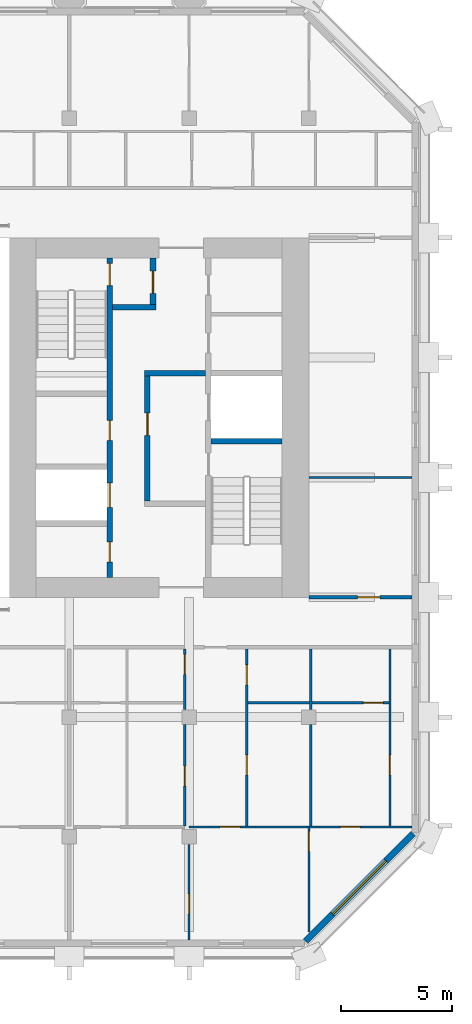
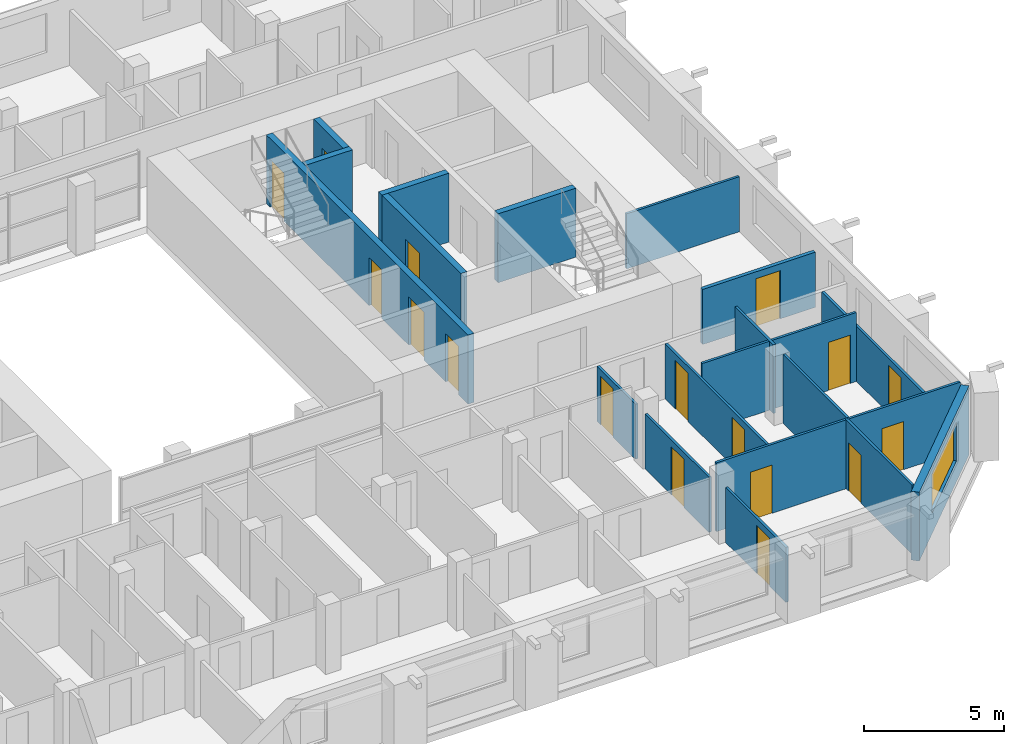
# One storey, part 8 of 14: 21 walls, 17 doors, 1 window, 18 openings.
"""IFC4 building model written with IfcOpenShell, lengths in metres."""

from ifc_helpers import new_model, si_unit, direction, frame, frame_2d, origin, place, context, subcontext, project, spatial, rectangle, extrude, material, layer, layer_set, type_object, element, fill, save


model = new_model("IFC4")

# Units and contexts
model_context = context("Model", 3, precision=1e-05, world=origin(), true_north=direction((0.0, 1.0)))
body_context = subcontext(model_context, "Body", "Model", "MODEL_VIEW")
ifc_project = project(units=[si_unit("LENGTHUNIT", "METRE"), si_unit("AREAUNIT", "SQUARE_METRE"), si_unit("VOLUMEUNIT", "CUBIC_METRE"), si_unit("PLANEANGLEUNIT", "RADIAN"), si_unit("MASSUNIT", "GRAM", prefix="KILO")], contexts=[model_context])

# Site, building, storey
site_placement = place(None, origin())
site = spatial("IfcSite", under=ifc_project, at=site_placement, CompositionType="ELEMENT")
building_placement = place(site_placement, origin())
building = spatial("IfcBuilding", under=site, at=building_placement, Name="Tabaq Tower and Sports Hall", CompositionType="ELEMENT")
storey_placement = place(building_placement, frame((0.0, 0.0, 285.10009765625)))
storey = spatial("IfcBuildingStorey", under=building, at=storey_placement, Name="L70", CompositionType="ELEMENT", Elevation=285.10009765625)

# Wall
ifc_material_1 = material(Name="Gypsum board on steel studs", Category="steel")
ifc_layer_1 = layer(ifc_material_1, 0.10009765625)
ifc_layer_set_1 = layer_set([ifc_layer_1], Name="Partition 100 Gypsum board")
wall_type_1 = type_object("IfcWallType", Name="Partition 100 Gypsum board", PredefinedType="PARTITIONING", material=ifc_layer_set_1)
wall_1_placement = place(storey_placement, frame((43.199951171875, 21.60009765625, 0.0), z_axis=(0.0, 0.0, 1.0), x_axis=(1.0, 0.0, 0.0)))
element("IfcWall", 1, at=wall_1_placement, inside=storey, type_object=wall_type_1, Name="Partition wall L70", PredefinedType="PARTITIONING", context=body_context, shape_type="SweptSolid", body=[
    extrude(rectangle(XDim=4.649169921875, YDim=0.10009765625, at=frame_2d((2.32470703125, 0.0))), origin(), (0.0, 0.0, 1.0), 2.39990234375),
])

# Wall, opening, door
wall_2_placement = place(storey_placement, frame((37.800048828125, 0.7509765625, 0.0), z_axis=(0.0, 0.0, 1.0), x_axis=(0.0, 1.0, 0.0)))
wall_2 = element("IfcWall", 2, at=wall_2_placement, inside=storey, type_object=wall_type_1, Name="Partition wall L70", PredefinedType="PARTITIONING", context=body_context, shape_type="SweptSolid", body=[
    extrude(rectangle(XDim=4.303955078125, YDim=0.10009765625, at=frame_2d((2.15185546875, 0.0))), origin(), (0.0, 0.0, 1.0), 2.39990234375),
])
opening_1_placement = place(wall_2_placement, frame((1.179931640625, 0.0, 0.0)))
opening_1 = element("IfcOpeningElement", 3, at=opening_1_placement, cuts=wall_2, Name="Opening L70-044", PredefinedType="OPENING", context=body_context, shape_type="SweptSolid", body=[
    extrude(rectangle(XDim=0.89990234375, YDim=2.10009765625, at=frame_2d((0.449951171875, 1.050048828125))), frame((0.0, 0.050048828125, 0.0), z_axis=(0.0, -1.0, 0.0), x_axis=(1.0, 0.0, 0.0)), (0.0, 0.0, 1.0), 0.10009765625),
])
ifc_material_2 = material(Name="Timber leaf in steel frame", Category="steel")
door_type_1 = type_object("IfcDoorType", Name="Internal door 900 right hand", OperationType="SINGLE_SWING_RIGHT", PredefinedType="DOOR", material=ifc_material_2)
door_1_placement = place(opening_1_placement, origin())
door_1 = element("IfcDoor", 4, at=door_1_placement, inside=storey, type_object=door_type_1, Name="Internal door L70-044", OperationType="SINGLE_SWING_RIGHT", OverallHeight=2.10009765625, OverallWidth=0.89990234375, PredefinedType="DOOR", context=body_context, shape_type="SweptSolid", body=[
    extrude(rectangle(XDim=0.89990234375, YDim=2.10009765625, at=frame_2d((0.449951171875, 1.050048828125))), frame((0.0, 0.02490234375, 0.0), z_axis=(0.0, -1.0, 0.0), x_axis=(1.0, 0.0, 0.0)), (0.0, 0.0, 1.0), 0.050048828125),
])
fill(opening_1, door_1)

wall_3_placement = place(storey_placement, frame((43.199951171875, 1.112060546875, 0.0), z_axis=(0.0, 0.0, 1.0), x_axis=(0.0, 1.0, 0.0)))
wall_3 = element("IfcWall", 5, at=wall_3_placement, inside=storey, type_object=wall_type_1, Name="Partition wall L70", PredefinedType="PARTITIONING", context=body_context, shape_type="SweptSolid", body=[
    extrude(rectangle(XDim=4.787841796875, YDim=0.10009765625, at=frame_2d((2.39404296875, 0.0))), origin(), (0.0, 0.0, 1.0), 3.0),
])
opening_2_placement = place(wall_3_placement, frame((3.637939453125, 0.0, 0.0)))
opening_2 = element("IfcOpeningElement", 6, at=opening_2_placement, cuts=wall_3, Name="Opening L70-052", PredefinedType="OPENING", context=body_context, shape_type="SweptSolid", body=[
    extrude(rectangle(XDim=0.89990234375, YDim=2.10009765625, at=frame_2d((0.449951171875, 1.050048828125))), frame((0.0, 0.050048828125, 0.0), z_axis=(0.0, -1.0, 0.0), x_axis=(1.0, 0.0, 0.0)), (0.0, 0.0, 1.0), 0.10009765625),
])
ifc_material_3 = material(Name="Timber leaf in steel frame", Category="steel")
door_type_2 = type_object("IfcDoorType", Name="Internal door 900 left hand", OperationType="SINGLE_SWING_LEFT", PredefinedType="DOOR", material=ifc_material_3)
door_2_placement = place(opening_2_placement, origin())
door_2 = element("IfcDoor", 7, at=door_2_placement, inside=storey, type_object=door_type_2, Name="Internal door L70-052", OperationType="SINGLE_SWING_LEFT", OverallHeight=2.10009765625, OverallWidth=0.89990234375, PredefinedType="DOOR", context=body_context, shape_type="SweptSolid", body=[
    extrude(rectangle(XDim=0.89990234375, YDim=2.10009765625, at=frame_2d((0.449951171875, 1.050048828125))), frame((0.0, 0.02490234375, 0.0), z_axis=(0.0, -1.0, 0.0), x_axis=(1.0, 0.0, 0.0)), (0.0, 0.0, 1.0), 0.050048828125),
])
fill(opening_2, door_2)

wall_4_placement = place(storey_placement, frame((43.14990234375, 5.85009765625, 0.0), z_axis=(0.0, 0.0, 1.0), x_axis=(-1.0, 0.0, 0.0)))
wall_4 = element("IfcWall", 8, at=wall_4_placement, inside=storey, type_object=wall_type_1, Name="Partition wall L70", PredefinedType="PARTITIONING", context=body_context, shape_type="SweptSolid", body=[
    extrude(rectangle(XDim=5.349853515625, YDim=0.10009765625, at=frame_2d((2.6748046875, 0.0))), origin(), (0.0, 0.0, 1.0), 3.0),
])
opening_3_placement = place(wall_4_placement, frame((3.048095703125, 0.0, 0.0)))
opening_3 = element("IfcOpeningElement", 9, at=opening_3_placement, cuts=wall_4, Name="Opening L70-053", PredefinedType="OPENING", context=body_context, shape_type="SweptSolid", body=[
    extrude(rectangle(XDim=0.89990234375, YDim=2.10009765625, at=frame_2d((0.449951171875, 1.050048828125))), frame((0.0, 0.050048828125, 0.0), z_axis=(0.0, -1.0, 0.0), x_axis=(1.0, 0.0, 0.0)), (0.0, 0.0, 1.0), 0.10009765625),
])
door_3_placement = place(opening_3_placement, origin())
door_3 = element("IfcDoor", 10, at=door_3_placement, inside=storey, type_object=door_type_1, Name="Internal door L70-053", OperationType="SINGLE_SWING_RIGHT", OverallHeight=2.10009765625, OverallWidth=0.89990234375, PredefinedType="DOOR", context=body_context, shape_type="SweptSolid", body=[
    extrude(rectangle(XDim=0.89990234375, YDim=2.10009765625, at=frame_2d((0.449951171875, 1.050048828125))), frame((0.0, 0.02490234375, 0.0), z_axis=(0.0, -1.0, 0.0), x_axis=(1.0, 0.0, 0.0)), (0.0, 0.0, 1.0), 0.050048828125),
])
fill(opening_3, door_3)

wall_5_placement = place(storey_placement, frame((47.84912109375, 5.85009765625, 0.0), z_axis=(0.0, 0.0, 1.0), x_axis=(-1.0, 0.0, 0.0)))
wall_5 = element("IfcWall", 11, at=wall_5_placement, inside=storey, type_object=wall_type_1, Name="Partition wall L70", PredefinedType="PARTITIONING", context=body_context, shape_type="SweptSolid", body=[
    extrude(rectangle(XDim=4.6181640625, YDim=0.10009765625, at=frame_2d((2.30908203125, 0.0))), origin(), (0.0, 0.0, 1.0), 3.0),
])
opening_4_placement = place(wall_5_placement, frame((2.3330078125, 0.0, 0.0)))
opening_4 = element("IfcOpeningElement", 12, at=opening_4_placement, cuts=wall_5, Name="Opening L70-046", PredefinedType="OPENING", context=body_context, shape_type="SweptSolid", body=[
    extrude(rectangle(XDim=0.89990234375, YDim=2.10009765625, at=frame_2d((0.449951171875, 1.050048828125))), frame((0.0, 0.050048828125, 0.0), z_axis=(0.0, -1.0, 0.0), x_axis=(1.0, 0.0, 0.0)), (0.0, 0.0, 1.0), 0.10009765625),
])
door_4_placement = place(opening_4_placement, origin())
door_4 = element("IfcDoor", 13, at=door_4_placement, inside=storey, type_object=door_type_2, Name="Internal door L70-046", OperationType="SINGLE_SWING_LEFT", OverallHeight=2.10009765625, OverallWidth=0.89990234375, PredefinedType="DOOR", context=body_context, shape_type="SweptSolid", body=[
    extrude(rectangle(XDim=0.89990234375, YDim=2.10009765625, at=frame_2d((0.449951171875, 1.050048828125))), frame((0.0, 0.02490234375, 0.0), z_axis=(0.0, -1.0, 0.0), x_axis=(1.0, 0.0, 0.0)), (0.0, 0.0, 1.0), 0.050048828125),
])
fill(opening_4, door_4)

wall_6_placement = place(storey_placement, frame((37.60205078125, 5.89990234375, 0.0), z_axis=(0.0, 0.0, 1.0), x_axis=(0.0, 1.0, 0.0)))
wall_6 = element("IfcWall", 14, at=wall_6_placement, inside=storey, type_object=wall_type_1, Name="Partition wall L70", PredefinedType="PARTITIONING", context=body_context, shape_type="SweptSolid", body=[
    extrude(rectangle(XDim=4.55517578125, YDim=0.10009765625, at=frame_2d((2.277587890625, 0.0))), origin(), (0.0, 0.0, 1.0), 2.39990234375),
])
opening_5_placement = place(wall_6_placement, frame((1.787109375, 0.0, 0.0)))
opening_5 = element("IfcOpeningElement", 15, at=opening_5_placement, cuts=wall_6, Name="Opening L70-022", PredefinedType="OPENING", context=body_context, shape_type="SweptSolid", body=[
    extrude(rectangle(XDim=0.89990234375, YDim=2.10009765625, at=frame_2d((0.449951171875, 1.050048828125))), frame((0.0, 0.050048828125, 0.0), z_axis=(0.0, -1.0, 0.0), x_axis=(1.0, 0.0, 0.0)), (0.0, 0.0, 1.0), 0.10009765625),
])
door_5_placement = place(opening_5_placement, origin())
door_5 = element("IfcDoor", 16, at=door_5_placement, inside=storey, type_object=door_type_2, Name="Internal door L70-022", OperationType="SINGLE_SWING_LEFT", OverallHeight=2.10009765625, OverallWidth=0.89990234375, PredefinedType="DOOR", context=body_context, shape_type="SweptSolid", body=[
    extrude(rectangle(XDim=0.89990234375, YDim=2.10009765625, at=frame_2d((0.449951171875, 1.050048828125))), frame((0.0, 0.02490234375, 0.0), z_axis=(0.0, -1.0, 0.0), x_axis=(1.0, 0.0, 0.0)), (0.0, 0.0, 1.0), 0.050048828125),
])
fill(opening_5, door_5)

wall_7_placement = place(storey_placement, frame((37.60205078125, 11.14501953125, 0.0), z_axis=(0.0, 0.0, 1.0), x_axis=(0.0, 1.0, 0.0)))
wall_7 = element("IfcWall", 17, at=wall_7_placement, inside=storey, type_object=wall_type_1, Name="Partition wall L70", PredefinedType="PARTITIONING", context=body_context, shape_type="SweptSolid", body=[
    extrude(rectangle(XDim=2.72998046875, YDim=0.10009765625, at=frame_2d((1.364990234375, 0.0))), origin(), (0.0, 0.0, 1.0), 2.39990234375),
])
opening_6_placement = place(wall_7_placement, frame((1.580078125, 0.0, 0.0)))
opening_6 = element("IfcOpeningElement", 18, at=opening_6_placement, cuts=wall_7, Name="Opening L70-023", PredefinedType="OPENING", context=body_context, shape_type="SweptSolid", body=[
    extrude(rectangle(XDim=0.89990234375, YDim=2.10009765625, at=frame_2d((0.449951171875, 1.050048828125))), frame((0.0, 0.050048828125, 0.0), z_axis=(0.0, -1.0, 0.0), x_axis=(1.0, 0.0, 0.0)), (0.0, 0.0, 1.0), 0.10009765625),
])
door_6_placement = place(opening_6_placement, origin())
door_6 = element("IfcDoor", 19, at=door_6_placement, inside=storey, type_object=door_type_1, Name="Internal door L70-023", OperationType="SINGLE_SWING_RIGHT", OverallHeight=2.10009765625, OverallWidth=0.89990234375, PredefinedType="DOOR", context=body_context, shape_type="SweptSolid", body=[
    extrude(rectangle(XDim=0.89990234375, YDim=2.10009765625, at=frame_2d((0.449951171875, 1.050048828125))), frame((0.0, 0.02490234375, 0.0), z_axis=(0.0, -1.0, 0.0), x_axis=(1.0, 0.0, 0.0)), (0.0, 0.0, 1.0), 0.050048828125),
])
fill(opening_6, door_6)

# Wall, openings, doors
wall_8_placement = place(storey_placement, frame((40.402099609375, 5.89990234375, 0.0), z_axis=(0.0, 0.0, 1.0), x_axis=(0.0, 1.0, 0.0)))
wall_8 = element("IfcWall", 20, at=wall_8_placement, inside=storey, type_object=wall_type_1, Name="Partition wall L70", PredefinedType="PARTITIONING", context=body_context, shape_type="SweptSolid", body=[
    extrude(rectangle(XDim=7.97509765625, YDim=0.10009765625, at=frame_2d((3.987548828125, 0.0))), origin(), (0.0, 0.0, 1.0), 2.39990234375),
])
opening_7_placement = place(wall_8_placement, frame((2.300048828125, 0.0, 0.0)))
opening_7 = element("IfcOpeningElement", 21, at=opening_7_placement, cuts=wall_8, Name="Opening L70-024", PredefinedType="OPENING", context=body_context, shape_type="SweptSolid", body=[
    extrude(rectangle(XDim=0.89990234375, YDim=2.10009765625, at=frame_2d((0.449951171875, 1.050048828125))), frame((0.0, 0.050048828125, 0.0), z_axis=(0.0, -1.0, 0.0), x_axis=(1.0, 0.0, 0.0)), (0.0, 0.0, 1.0), 0.10009765625),
])
opening_8_placement = place(wall_8_placement, frame((6.35009765625, 0.0, 0.0)))
opening_8 = element("IfcOpeningElement", 22, at=opening_8_placement, cuts=wall_8, Name="Opening L70-025", PredefinedType="OPENING", context=body_context, shape_type="SweptSolid", body=[
    extrude(rectangle(XDim=0.89990234375, YDim=2.10009765625, at=frame_2d((0.449951171875, 1.050048828125))), frame((0.0, 0.050048828125, 0.0), z_axis=(0.0, -1.0, 0.0), x_axis=(1.0, 0.0, 0.0)), (0.0, 0.0, 1.0), 0.10009765625),
])
door_7_placement = place(opening_7_placement, origin())
door_7 = element("IfcDoor", 23, at=door_7_placement, inside=storey, type_object=door_type_1, Name="Internal door L70-024", OperationType="SINGLE_SWING_RIGHT", OverallHeight=2.10009765625, OverallWidth=0.89990234375, PredefinedType="DOOR", context=body_context, shape_type="SweptSolid", body=[
    extrude(rectangle(XDim=0.89990234375, YDim=2.10009765625, at=frame_2d((0.449951171875, 1.050048828125))), frame((0.0, 0.02490234375, 0.0), z_axis=(0.0, -1.0, 0.0), x_axis=(1.0, 0.0, 0.0)), (0.0, 0.0, 1.0), 0.050048828125),
])
fill(opening_7, door_7)
door_8_placement = place(opening_8_placement, origin())
door_8 = element("IfcDoor", 24, at=door_8_placement, inside=storey, type_object=door_type_1, Name="Internal door L70-025", OperationType="SINGLE_SWING_RIGHT", OverallHeight=2.10009765625, OverallWidth=0.89990234375, PredefinedType="DOOR", context=body_context, shape_type="SweptSolid", body=[
    extrude(rectangle(XDim=0.89990234375, YDim=2.10009765625, at=frame_2d((0.449951171875, 1.050048828125))), frame((0.0, 0.02490234375, 0.0), z_axis=(0.0, -1.0, 0.0), x_axis=(1.0, 0.0, 0.0)), (0.0, 0.0, 1.0), 0.050048828125),
])
fill(opening_8, door_8)

# Walls
wall_9_placement = place(storey_placement, frame((43.281005859375, 5.89990234375, 0.0), z_axis=(0.0, 0.0, 1.0), x_axis=(0.0, 1.0, 0.0)))
element("IfcWall", 25, at=wall_9_placement, inside=storey, type_object=wall_type_1, Name="Partition wall L70", PredefinedType="PARTITIONING", context=body_context, shape_type="SweptSolid", body=[
    extrude(rectangle(XDim=4.55517578125, YDim=0.10009765625, at=frame_2d((2.277587890625, 0.0))), origin(), (0.0, 0.0, 1.0), 3.0),
])
wall_10_placement = place(storey_placement, frame((43.23095703125, 11.449951171875, 0.0), z_axis=(0.0, 0.0, 1.0), x_axis=(-1.0, 0.0, 0.0)))
element("IfcWall", 26, at=wall_10_placement, inside=storey, type_object=wall_type_1, Name="Partition wall L70", PredefinedType="PARTITIONING", context=body_context, shape_type="SweptSolid", body=[
    extrude(rectangle(XDim=2.779052734375, YDim=0.10009765625, at=frame_2d((1.3896484375, 0.0))), origin(), (0.0, 0.0, 1.0), 3.0),
])
wall_11_placement = place(storey_placement, frame((43.281005859375, 11.14501953125, 0.0), z_axis=(0.0, 0.0, 1.0), x_axis=(0.0, 1.0, 0.0)))
element("IfcWall", 27, at=wall_11_placement, inside=storey, type_object=wall_type_1, Name="Partition wall L70", PredefinedType="PARTITIONING", context=body_context, shape_type="SweptSolid", body=[
    extrude(rectangle(XDim=2.72998046875, YDim=0.10009765625, at=frame_2d((1.364990234375, 0.0))), origin(), (0.0, 0.0, 1.0), 3.0),
])

# Wall, opening, door
wall_12_placement = place(storey_placement, frame((46.802001953125, 11.449951171875, 0.0), z_axis=(0.0, 0.0, 1.0), x_axis=(-1.0, 0.0, 0.0)))
wall_12 = element("IfcWall", 28, at=wall_12_placement, inside=storey, type_object=wall_type_1, Name="Partition wall L70", PredefinedType="PARTITIONING", context=body_context, shape_type="SweptSolid", body=[
    extrude(rectangle(XDim=3.470947265625, YDim=0.10009765625, at=frame_2d((1.7353515625, 0.0))), origin(), (0.0, 0.0, 1.0), 3.0),
])
opening_9_placement = place(wall_12_placement, frame((0.25, 0.0, 0.0)))
opening_9 = element("IfcOpeningElement", 29, at=opening_9_placement, cuts=wall_12, Name="Opening L70-026", PredefinedType="OPENING", context=body_context, shape_type="SweptSolid", body=[
    extrude(rectangle(XDim=0.89990234375, YDim=2.10009765625, at=frame_2d((0.449951171875, 1.050048828125))), frame((0.0, 0.050048828125, 0.0), z_axis=(0.0, -1.0, 0.0), x_axis=(1.0, 0.0, 0.0)), (0.0, 0.0, 1.0), 0.10009765625),
])
door_9_placement = place(opening_9_placement, origin())
door_9 = element("IfcDoor", 30, at=door_9_placement, inside=storey, type_object=door_type_1, Name="Internal door L70-026", OperationType="SINGLE_SWING_RIGHT", OverallHeight=2.10009765625, OverallWidth=0.89990234375, PredefinedType="DOOR", context=body_context, shape_type="SweptSolid", body=[
    extrude(rectangle(XDim=0.89990234375, YDim=2.10009765625, at=frame_2d((0.449951171875, 1.050048828125))), frame((0.0, 0.02490234375, 0.0), z_axis=(0.0, -1.0, 0.0), x_axis=(1.0, 0.0, 0.0)), (0.0, 0.0, 1.0), 0.050048828125),
])
fill(opening_9, door_9)

wall_13_placement = place(storey_placement, frame((46.85205078125, 5.89990234375, 0.0), z_axis=(0.0, 0.0, 1.0), x_axis=(0.0, 1.0, 0.0)))
wall_13 = element("IfcWall", 31, at=wall_13_placement, inside=storey, type_object=wall_type_1, Name="Partition wall L70", PredefinedType="PARTITIONING", context=body_context, shape_type="SweptSolid", body=[
    extrude(rectangle(XDim=7.97509765625, YDim=0.10009765625, at=frame_2d((3.987548828125, 0.0))), origin(), (0.0, 0.0, 1.0), 2.39990234375),
])
opening_10_placement = place(wall_13_placement, frame((2.300048828125, 0.0, 0.0)))
opening_10 = element("IfcOpeningElement", 32, at=opening_10_placement, cuts=wall_13, Name="Opening L70-063", PredefinedType="OPENING", context=body_context, shape_type="SweptSolid", body=[
    extrude(rectangle(XDim=0.89990234375, YDim=2.10009765625, at=frame_2d((0.449951171875, 1.050048828125))), frame((0.0, 0.050048828125, 0.0), z_axis=(0.0, -1.0, 0.0), x_axis=(1.0, 0.0, 0.0)), (0.0, 0.0, 1.0), 0.10009765625),
])
door_10_placement = place(opening_10_placement, origin())
door_10 = element("IfcDoor", 33, at=door_10_placement, inside=storey, type_object=door_type_2, Name="Internal door L70-063", OperationType="SINGLE_SWING_LEFT", OverallHeight=2.10009765625, OverallWidth=0.89990234375, PredefinedType="DOOR", context=body_context, shape_type="SweptSolid", body=[
    extrude(rectangle(XDim=0.89990234375, YDim=2.10009765625, at=frame_2d((0.449951171875, 1.050048828125))), frame((0.0, 0.02490234375, 0.0), z_axis=(0.0, -1.0, 0.0), x_axis=(1.0, 0.0, 0.0)), (0.0, 0.0, 1.0), 0.050048828125),
])
fill(opening_10, door_10)

ifc_material_4 = material(Name="Blockwork", Category="masonry")
ifc_layer_2 = layer(ifc_material_4, 0.14990234375)
ifc_layer_set_2 = layer_set([ifc_layer_2], Name="Separating wall 150 Blockwork")
wall_type_2 = type_object("IfcWallType", Name="Separating wall 150 Blockwork", PredefinedType="PARTITIONING", material=ifc_layer_set_2)
wall_14_placement = place(storey_placement, frame((43.199951171875, 16.199951171875, 0.0), z_axis=(0.0, 0.0, 1.0), x_axis=(1.0, 0.0, 0.0)))
wall_14 = element("IfcWall", 34, at=wall_14_placement, inside=storey, type_object=wall_type_2, Name="Separating wall L70", PredefinedType="PARTITIONING", context=body_context, shape_type="SweptSolid", body=[
    extrude(rectangle(XDim=4.649169921875, YDim=0.14990234375, at=frame_2d((2.32470703125, 0.0))), origin(), (0.0, 0.0, 1.0), 2.39990234375),
])
opening_11_placement = place(wall_14_placement, frame((2.199951171875, 0.0, 0.0)))
opening_11 = element("IfcOpeningElement", 35, at=opening_11_placement, cuts=wall_14, Name="Opening L70-027", PredefinedType="OPENING", context=body_context, shape_type="SweptSolid", body=[
    extrude(rectangle(XDim=1.0, YDim=2.10009765625, at=frame_2d((0.5, 1.050048828125))), frame((0.0, 0.074951171875, 0.0), z_axis=(0.0, -1.0, 0.0), x_axis=(1.0, 0.0, 0.0)), (0.0, 0.0, 1.0), 0.14990234375),
])
ifc_material_5 = material(Name="Timber leaf in steel frame", Category="steel")
door_type_3 = type_object("IfcDoorType", Name="Internal door 1000 right hand", OperationType="SINGLE_SWING_RIGHT", PredefinedType="DOOR", material=ifc_material_5)
door_11_placement = place(opening_11_placement, origin())
door_11 = element("IfcDoor", 36, at=door_11_placement, inside=storey, type_object=door_type_3, Name="Internal door L70-027", OperationType="SINGLE_SWING_RIGHT", OverallHeight=2.10009765625, OverallWidth=1.0, PredefinedType="DOOR", context=body_context, shape_type="SweptSolid", body=[
    extrude(rectangle(XDim=1.0, YDim=2.10009765625, at=frame_2d((0.5, 1.050048828125))), frame((0.0, 0.02490234375, 0.0), z_axis=(0.0, -1.0, 0.0), x_axis=(1.0, 0.0, 0.0)), (0.0, 0.0, 1.0), 0.050048828125),
])
fill(opening_11, door_11)

# Wall, openings, doors
ifc_material_6 = material(Name="Concrete C40/50", Category="concrete")
ifc_layer_3 = layer(ifc_material_6, 0.25)
ifc_layer_set_3 = layer_set([ifc_layer_3], Name="Shaft and stair wall 250 Concrete C40/50")
wall_type_3 = type_object("IfcWallType", Name="Shaft and stair wall 250 Concrete C40/50", PredefinedType="SOLIDWALL", material=ifc_layer_set_3)
wall_15_placement = place(storey_placement, frame((34.22509765625, 17.10009765625, 0.0), z_axis=(0.0, 0.0, 1.0), x_axis=(0.0, 1.0, 0.0)))
wall_15 = element("IfcWall", 37, at=wall_15_placement, inside=storey, type_object=wall_type_3, Name="Shaft wall E L70", PredefinedType="SOLIDWALL", context=body_context, shape_type="SweptSolid", body=[
    extrude(rectangle(XDim=14.39990234375, YDim=0.25, at=frame_2d((7.199951171875, 0.0))), origin(), (0.0, 0.0, 1.0), 3.0),
])
opening_12_placement = place(wall_15_placement, frame((13.14990234375, 0.0, 0.0)))
opening_12 = element("IfcOpeningElement", 38, at=opening_12_placement, cuts=wall_15, Name="Opening SD-EL70-05", PredefinedType="OPENING", context=body_context, shape_type="SweptSolid", body=[
    extrude(rectangle(XDim=1.0, YDim=2.10009765625, at=frame_2d((0.5, 1.050048828125))), frame((0.0, 0.125, 0.0), z_axis=(0.0, -1.0, 0.0), x_axis=(1.0, 0.0, 0.0)), (0.0, 0.0, 1.0), 0.25),
])
opening_13_placement = place(wall_15_placement, frame((3.14990234375, 0.0, 0.0)))
opening_13 = element("IfcOpeningElement", 39, at=opening_13_placement, cuts=wall_15, Name="Opening LD-HR2-L70", PredefinedType="OPENING", context=body_context, shape_type="SweptSolid", body=[
    extrude(rectangle(XDim=1.10009765625, YDim=2.10009765625, at=frame_2d((0.550048828125, 1.050048828125))), frame((0.0, 0.125, 0.0), z_axis=(0.0, -1.0, 0.0), x_axis=(1.0, 0.0, 0.0)), (0.0, 0.0, 1.0), 0.25),
])
opening_14_placement = place(wall_15_placement, frame((0.699951171875, 0.0, 0.0)))
opening_14 = element("IfcOpeningElement", 40, at=opening_14_placement, cuts=wall_15, Name="Opening RD-EL70-11", PredefinedType="OPENING", context=body_context, shape_type="SweptSolid", body=[
    extrude(rectangle(XDim=0.89990234375, YDim=2.10009765625, at=frame_2d((0.449951171875, 1.050048828125))), frame((0.0, 0.125, 0.0), z_axis=(0.0, -1.0, 0.0), x_axis=(1.0, 0.0, 0.0)), (0.0, 0.0, 1.0), 0.25),
])
opening_15_placement = place(wall_15_placement, frame((6.175048828125, 0.0, 0.0)))
opening_15 = element("IfcOpeningElement", 41, at=opening_15_placement, cuts=wall_15, Name="Opening RD-EL70-12", PredefinedType="OPENING", context=body_context, shape_type="SweptSolid", body=[
    extrude(rectangle(XDim=0.89990234375, YDim=2.10009765625, at=frame_2d((0.449951171875, 1.050048828125))), frame((0.0, 0.125, 0.0), z_axis=(0.0, -1.0, 0.0), x_axis=(1.0, 0.0, 0.0)), (0.0, 0.0, 1.0), 0.25),
])
ifc_material_7 = material(Name="Steel fire door", Category="steel")
door_type_4 = type_object("IfcDoorType", Name="Core room door 900", OperationType="SINGLE_SWING_LEFT", PredefinedType="DOOR", material=ifc_material_7)
door_12_placement = place(opening_14_placement, origin())
door_12 = element("IfcDoor", 42, at=door_12_placement, inside=storey, type_object=door_type_4, Name="Door Electrical Riser Room E L70", OperationType="SINGLE_SWING_LEFT", OverallHeight=2.10009765625, OverallWidth=0.89990234375, PredefinedType="DOOR", context=body_context, shape_type="SweptSolid", body=[
    extrude(rectangle(XDim=0.89990234375, YDim=2.10009765625, at=frame_2d((0.449951171875, 1.050048828125))), frame((0.0, 0.02490234375, 0.0), z_axis=(0.0, -1.0, 0.0), x_axis=(1.0, 0.0, 0.0)), (0.0, 0.0, 1.0), 0.050048828125),
])
fill(opening_14, door_12)
door_13_placement = place(opening_15_placement, origin())
door_13 = element("IfcDoor", 43, at=door_13_placement, inside=storey, type_object=door_type_4, Name="Door Riser Room E L70", OperationType="SINGLE_SWING_LEFT", OverallHeight=2.10009765625, OverallWidth=0.89990234375, PredefinedType="DOOR", context=body_context, shape_type="SweptSolid", body=[
    extrude(rectangle(XDim=0.89990234375, YDim=2.10009765625, at=frame_2d((0.449951171875, 1.050048828125))), frame((0.0, 0.02490234375, 0.0), z_axis=(0.0, -1.0, 0.0), x_axis=(1.0, 0.0, 0.0)), (0.0, 0.0, 1.0), 0.050048828125),
])
fill(opening_15, door_13)
ifc_material_8 = material(Name="Stainless steel", Category="steel")
door_type_5 = type_object("IfcDoorType", Name="Lift landing door 1100", OperationType="DOUBLE_DOOR_SLIDING", PredefinedType="DOOR", material=ifc_material_8)
door_14_placement = place(opening_13_placement, origin())
door_14 = element("IfcDoor", 44, at=door_14_placement, inside=storey, type_object=door_type_5, Name="Lift landing door HR2 E L70", OperationType="DOUBLE_DOOR_SLIDING", OverallHeight=2.10009765625, OverallWidth=1.10009765625, PredefinedType="DOOR", context=body_context, shape_type="SweptSolid", body=[
    extrude(rectangle(XDim=1.10009765625, YDim=2.10009765625, at=frame_2d((0.550048828125, 1.050048828125))), frame((0.0, 0.02490234375, 0.0), z_axis=(0.0, -1.0, 0.0), x_axis=(1.0, 0.0, 0.0)), (0.0, 0.0, 1.0), 0.050048828125),
])
fill(opening_13, door_14)
ifc_material_9 = material(Name="Steel fire door", Category="steel")
door_type_6 = type_object("IfcDoorType", Name="Stair door 1000", OperationType="SINGLE_SWING_LEFT", PredefinedType="DOOR", material=ifc_material_9)
door_15_placement = place(opening_12_placement, origin())
door_15 = element("IfcDoor", 45, at=door_15_placement, inside=storey, type_object=door_type_6, Name="Stair door ST4 E L70", OperationType="SINGLE_SWING_LEFT", OverallHeight=2.10009765625, OverallWidth=1.0, PredefinedType="DOOR", context=body_context, shape_type="SweptSolid", body=[
    extrude(rectangle(XDim=1.0, YDim=2.10009765625, at=frame_2d((0.5, 1.050048828125))), frame((0.0, 0.02490234375, 0.0), z_axis=(0.0, -1.0, 0.0), x_axis=(1.0, 0.0, 0.0)), (0.0, 0.0, 1.0), 0.050048828125),
])
fill(opening_12, door_15)

# Walls
wall_16_placement = place(storey_placement, frame((38.800048828125, 23.22509765625, 0.0), z_axis=(0.0, 0.0, 1.0), x_axis=(1.0, 0.0, 0.0)))
element("IfcWall", 46, at=wall_16_placement, inside=storey, type_object=wall_type_3, Name="Stair enclosure wall E L70", PredefinedType="SOLIDWALL", context=body_context, shape_type="SweptSolid", body=[
    extrude(rectangle(XDim=3.199951171875, YDim=0.25, at=frame_2d((1.60009765625, 0.0))), origin(), (0.0, 0.0, 1.0), 3.0),
])
wall_17_placement = place(storey_placement, frame((35.800048828125, 26.300048828125, 0.0), z_axis=(0.0, 0.0, 1.0), x_axis=(1.0, 0.0, 0.0)))
element("IfcWall", 47, at=wall_17_placement, inside=storey, type_object=wall_type_3, Name="Fire-fighting lobby wall E L70", PredefinedType="SOLIDWALL", context=body_context, shape_type="SweptSolid", body=[
    extrude(rectangle(XDim=2.75, YDim=0.25, at=frame_2d((1.375, 0.0))), origin(), (0.0, 0.0, 1.0), 3.0),
])

# Wall, opening, door
wall_18_placement = place(storey_placement, frame((36.175048828125, 29.39990234375, 0.0), z_axis=(0.0, 0.0, 1.0), x_axis=(0.0, 1.0, 0.0)))
wall_18 = element("IfcWall", 48, at=wall_18_placement, inside=storey, type_object=wall_type_3, Name="Fire-fighting lobby wall E L70", PredefinedType="SOLIDWALL", context=body_context, shape_type="SweptSolid", body=[
    extrude(rectangle(XDim=2.10009765625, YDim=0.25, at=frame_2d((1.050048828125, 0.0))), origin(), (0.0, 0.0, 1.0), 3.0),
])
opening_16_placement = place(wall_18_placement, frame((0.5, 0.0, 0.0)))
opening_16 = element("IfcOpeningElement", 49, at=opening_16_placement, cuts=wall_18, Name="Opening FD-EL70-06", PredefinedType="OPENING", context=body_context, shape_type="SweptSolid", body=[
    extrude(rectangle(XDim=1.0, YDim=2.10009765625, at=frame_2d((0.5, 1.050048828125))), frame((0.0, 0.125, 0.0), z_axis=(0.0, -1.0, 0.0), x_axis=(1.0, 0.0, 0.0)), (0.0, 0.0, 1.0), 0.25),
])
ifc_material_10 = material(Name="Steel fire door", Category="steel")
door_type_7 = type_object("IfcDoorType", Name="Fire-fighting lobby door 1000", OperationType="SINGLE_SWING_LEFT", PredefinedType="DOOR", material=ifc_material_10)
door_16_placement = place(opening_16_placement, origin())
door_16 = element("IfcDoor", 50, at=door_16_placement, inside=storey, type_object=door_type_7, Name="Stair lobby door E L70", OperationType="SINGLE_SWING_LEFT", OverallHeight=2.10009765625, OverallWidth=1.0, PredefinedType="DOOR", context=body_context, shape_type="SweptSolid", body=[
    extrude(rectangle(XDim=1.0, YDim=2.10009765625, at=frame_2d((0.5, 1.050048828125))), frame((0.0, 0.02490234375, 0.0), z_axis=(0.0, -1.0, 0.0), x_axis=(1.0, 0.0, 0.0)), (0.0, 0.0, 1.0), 0.050048828125),
])
fill(opening_16, door_16)

# Wall
wall_19_placement = place(storey_placement, frame((34.35009765625, 29.27490234375, 0.0), z_axis=(0.0, 0.0, 1.0), x_axis=(1.0, 0.0, 0.0)))
element("IfcWall", 51, at=wall_19_placement, inside=storey, type_object=wall_type_3, Name="Fire-fighting lobby wall E L70", PredefinedType="SOLIDWALL", context=body_context, shape_type="SweptSolid", body=[
    extrude(rectangle(XDim=1.949951171875, YDim=0.25, at=frame_2d((0.97509765625, 0.0))), origin(), (0.0, 0.0, 1.0), 3.0),
])

# Wall, opening, door
wall_20_placement = place(storey_placement, frame((35.925048828125, 20.550048828125, 0.0), z_axis=(0.0, 0.0, 1.0), x_axis=(0.0, 1.0, 0.0)))
wall_20 = element("IfcWall", 52, at=wall_20_placement, inside=storey, type_object=wall_type_3, Name="Fire-fighting lobby wall E L70", PredefinedType="SOLIDWALL", context=body_context, shape_type="SweptSolid", body=[
    extrude(rectangle(XDim=5.625, YDim=0.25, at=frame_2d((2.8125, 0.0))), origin(), (0.0, 0.0, 1.0), 3.0),
])
opening_17_placement = place(wall_20_placement, frame((2.949951171875, 0.0, 0.0)))
opening_17 = element("IfcOpeningElement", 53, at=opening_17_placement, cuts=wall_20, Name="Opening FD-EL70-04", PredefinedType="OPENING", context=body_context, shape_type="SweptSolid", body=[
    extrude(rectangle(XDim=1.0, YDim=2.10009765625, at=frame_2d((0.5, 1.050048828125))), frame((0.0, 0.125, 0.0), z_axis=(0.0, -1.0, 0.0), x_axis=(1.0, 0.0, 0.0)), (0.0, 0.0, 1.0), 0.25),
])
door_17_placement = place(opening_17_placement, origin())
door_17 = element("IfcDoor", 54, at=door_17_placement, inside=storey, type_object=door_type_7, Name="Fire-fighting lobby door E L70", OperationType="SINGLE_SWING_LEFT", OverallHeight=2.10009765625, OverallWidth=1.0, PredefinedType="DOOR", context=body_context, shape_type="SweptSolid", body=[
    extrude(rectangle(XDim=1.0, YDim=2.10009765625, at=frame_2d((0.5, 1.050048828125))), frame((0.0, 0.02490234375, 0.0), z_axis=(0.0, -1.0, 0.0), x_axis=(1.0, 0.0, 0.0)), (0.0, 0.0, 1.0), 0.050048828125),
])
fill(opening_17, door_17)

# Wall, opening, window
ifc_material_11 = material(Name="White precast concrete C60/75", Category="concrete")
ifc_layer_4 = layer(ifc_material_11, 0.300048828125)
ifc_layer_set_4 = layer_set([ifc_layer_4], Name="White precast concrete C60/75 external wall 300")
wall_type_4 = type_object("IfcWallType", Name="White precast concrete C60/75 external wall 300", PredefinedType="SOLIDWALL", material=ifc_layer_set_4)
wall_21_placement = place(storey_placement, frame((43.050537109375, 0.698974609375, 0.0), z_axis=(0.0, 0.0, 1.0), x_axis=(0.707106781187, 0.707106781187, 0.0)))
wall_21 = element("IfcWall", 55, at=wall_21_placement, inside=storey, type_object=wall_type_4, Name="External Wall L70 SE", PredefinedType="SOLIDWALL", context=body_context, shape_type="SweptSolid", body=[
    extrude(rectangle(XDim=6.85986328125, YDim=0.300048828125, at=frame_2d((3.429931640625, 0.0))), origin(), (0.0, 0.0, 1.0), 3.0),
])
opening_18_placement = place(wall_21_placement, frame((1.729736328125, 0.0, 0.89990234375)))
opening_18 = element("IfcOpeningElement", 56, at=opening_18_placement, cuts=wall_21, Name="Opening W1A", PredefinedType="OPENING", context=body_context, shape_type="SweptSolid", body=[
    extrude(rectangle(XDim=3.39990234375, YDim=1.699951171875, at=frame_2d((1.699951171875, 0.85009765625))), frame((0.0, 0.16015625, 0.0), z_axis=(0.0, -1.0, 0.0), x_axis=(1.0, 0.0, 0.0)), (0.0, 0.0, 1.0), 0.320068359375),
])
ifc_material_12 = material(Name="Aluminium framed clear glazing", Category="aluminium")
window_type = type_object("IfcWindowType", Name="Window W1A", PartitioningType="SINGLE_PANEL", PredefinedType="WINDOW", material=ifc_material_12)
window_placement = place(opening_18_placement, origin())
window = element("IfcWindow", 57, at=window_placement, inside=storey, type_object=window_type, Name="Window W1A L70", OverallHeight=1.699951171875, OverallWidth=3.39990234375, PartitioningType="SINGLE_PANEL", PredefinedType="WINDOW", context=body_context, shape_type="SweptSolid", body=[
    extrude(rectangle(XDim=3.39990234375, YDim=1.699951171875, at=frame_2d((1.699951171875, 0.85009765625))), frame((0.0, 0.030029296875, 0.0), z_axis=(0.0, -1.0, 0.0), x_axis=(1.0, 0.0, 0.0)), (0.0, 0.0, 1.0), 0.06005859375),
])
fill(opening_18, window)

save(model, "model.ifc")
